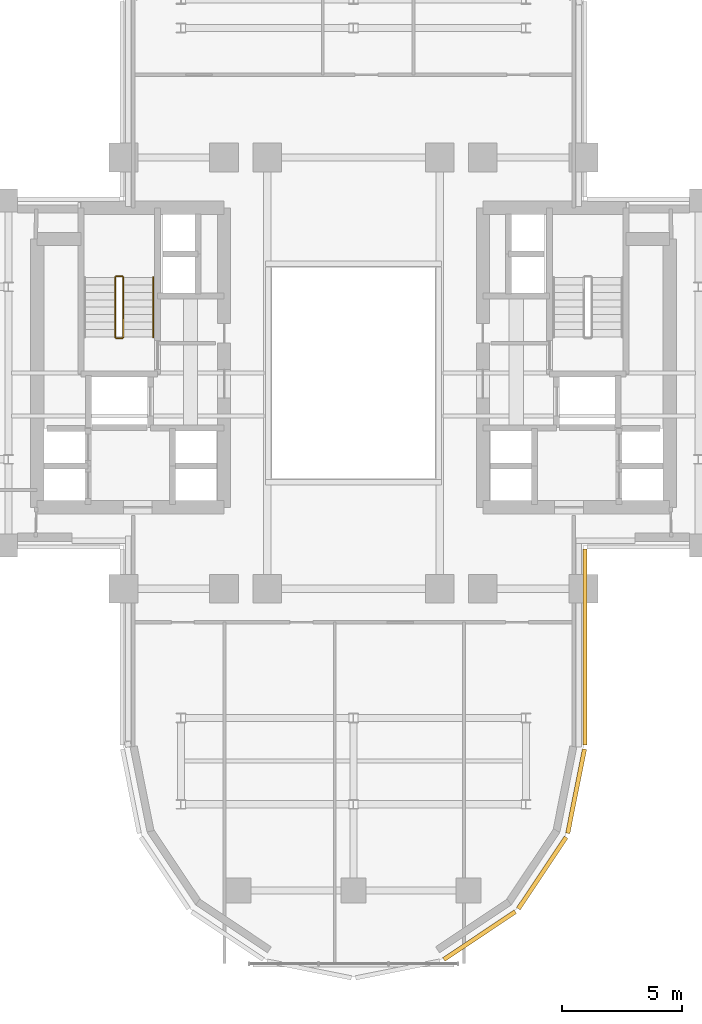
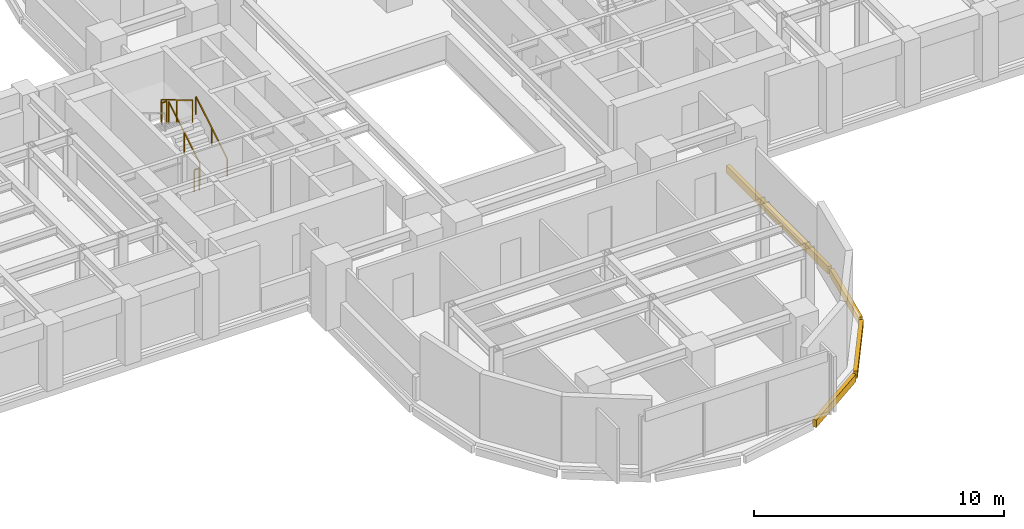
# One storey, part 14 of 16: 5 railings, 4 coverings.
"""IFC4 building model written with IfcOpenShell, lengths in metres."""

from ifc_helpers import new_model, si_unit, direction, frame, origin, origin_2d, place, context, subcontext, project, spatial, rectangle, extrude, source, transform, mapped, material, layer, layer_set, type_object, element, save


model = new_model("IFC4")

# Units and contexts
model_context = context("Model", 3, precision=1e-05, world=origin(), true_north=direction((0.0, 1.0)))
body_context = subcontext(model_context, "Body", "Model", "MODEL_VIEW")
ifc_project = project(units=[si_unit("LENGTHUNIT", "METRE"), si_unit("AREAUNIT", "SQUARE_METRE"), si_unit("VOLUMEUNIT", "CUBIC_METRE"), si_unit("PLANEANGLEUNIT", "RADIAN"), si_unit("MASSUNIT", "GRAM", prefix="KILO")], contexts=[model_context])

# Site, building, storey
site_placement = place(None, origin())
site = spatial("IfcSite", under=ifc_project, at=site_placement, CompositionType="ELEMENT")
building_placement = place(site_placement, origin())
building = spatial("IfcBuilding", under=site, at=building_placement, Name="Keilestroom Media Tower", CompositionType="ELEMENT")
storey_placement = place(building_placement, frame((0.0, 0.0, 74.800048828125)))
storey = spatial("IfcBuildingStorey", under=building, at=storey_placement, Name="L19", CompositionType="ELEMENT", Elevation=74.800048828125)

# Railings
ifc_material_1 = material(Name="Brushed Stainless Steel 1.4301", Category="steel")
railing_type_1 = type_object("IfcRailingType", Name="Stair-Pitch-Handrail-920", PredefinedType="HANDRAIL", material=ifc_material_1)
railing_1_placement = place(storey_placement, frame((-8.35009765625, 1.5, 0.188720703125)))
element("IfcRailing", 1, at=railing_1_placement, inside=storey, type_object=railing_type_1, Name="L19 ST-1 stair handrail 1", PredefinedType="HANDRAIL", context=body_context, shape_type="SweptSolid", body=[
    extrude(rectangle(XDim=0.048095703125, YDim=0.048095703125, at=origin_2d()), frame((0.0, 0.0, 0.8759765625), z_axis=(0.0, 0.855433747314, 0.517912255074), x_axis=(-1.0, 0.0, 0.0)), (0.0, 0.0, 1.0), 2.91796875),
    extrude(rectangle(XDim=0.0419921875, YDim=0.0419921875, at=origin_2d()), origin(), (0.0, 0.0, 1.0), 0.84375),
    extrude(rectangle(XDim=0.0419921875, YDim=0.0419921875, at=origin_2d()), frame((0.0, 1.248046875, 0.755615234375)), (0.0, 0.0, 1.0), 0.84375),
    extrude(rectangle(XDim=0.0419921875, YDim=0.0419921875, at=origin_2d()), frame((0.0, 2.49609375, 1.51123046875)), (0.0, 0.0, 1.0), 0.84375),
])
ifc_material_2 = material(Name="Painted Steel Balustrade", Category="steel")
railing_type_2 = type_object("IfcRailingType", Name="Stair-Well-And-Landing-Guard-1100", PredefinedType="GUARDRAIL", material=ifc_material_2)
railing_2_placement = place(storey_placement, frame((-9.610107421875, 1.5, 0.188720703125)))
element("IfcRailing", 2, at=railing_2_placement, inside=storey, type_object=railing_type_2, Name="L19 ST-1 stair guard 1", PredefinedType="GUARDRAIL", context=body_context, shape_type="SweptSolid", body=[
    extrude(rectangle(XDim=0.048095703125, YDim=0.048095703125, at=origin_2d()), frame((0.0, 0.0, 1.076171875), z_axis=(0.0, 0.855433747314, 0.517912255074), x_axis=(-1.0, 0.0, 0.0)), (0.0, 0.0, 1.0), 2.91796875),
    extrude(rectangle(XDim=0.0419921875, YDim=0.0419921875, at=origin_2d()), origin(), (0.0, 0.0, 1.0), 1.0439453125),
    extrude(rectangle(XDim=0.0419921875, YDim=0.0419921875, at=origin_2d()), frame((0.0, 1.248046875, 0.755615234375)), (0.0, 0.0, 1.0), 1.0439453125),
    extrude(rectangle(XDim=0.0419921875, YDim=0.0419921875, at=origin_2d()), frame((0.0, 2.49609375, 1.51123046875)), (0.0, 0.0, 1.0), 1.0439453125),
])
railing_3_placement = place(storey_placement, frame((-9.659912109375, 4.0458984375, 1.699951171875)))
element("IfcRailing", 3, at=railing_3_placement, inside=storey, type_object=railing_type_2, Name="L19 ST-1 stair guard 2", PredefinedType="GUARDRAIL", context=body_context, shape_type="SweptSolid", body=[
    extrude(rectangle(XDim=0.048095703125, YDim=0.048095703125, at=origin_2d()), frame((0.0, 0.0, 1.076171875), z_axis=(-1.0, 0.0, 0.0), x_axis=(0.0, -1.0, 0.0)), (0.0, 0.0, 1.0), 0.239990234375),
    extrude(rectangle(XDim=0.0419921875, YDim=0.0419921875, at=origin_2d()), origin(), (0.0, 0.0, 1.0), 1.0439453125),
    extrude(rectangle(XDim=0.0419921875, YDim=0.0419921875, at=origin_2d()), frame((-0.239990234375, 0.0, 0.0)), (0.0, 0.0, 1.0), 1.0439453125),
])
railing_4_placement = place(storey_placement, frame((-9.949951171875, 3.99609375, 1.888916015625)))
element("IfcRailing", 4, at=railing_4_placement, inside=storey, type_object=railing_type_2, Name="L19 ST-1 stair guard 3", PredefinedType="GUARDRAIL", context=body_context, shape_type="SweptSolid", body=[
    extrude(rectangle(XDim=0.048095703125, YDim=0.048095703125, at=origin_2d()), frame((0.0, 0.0, 1.076171875), z_axis=(0.0, -0.855470815493, 0.517851024754), x_axis=(1.0, 0.0, 0.0)), (0.0, 0.0, 1.0), 2.917724609375),
    extrude(rectangle(XDim=0.0419921875, YDim=0.0419921875, at=origin_2d()), origin(), (0.0, 0.0, 1.0), 1.0439453125),
    extrude(rectangle(XDim=0.0419921875, YDim=0.0419921875, at=origin_2d()), frame((0.0, -1.248046875, 0.75537109375)), (0.0, 0.0, 1.0), 1.0439453125),
    extrude(rectangle(XDim=0.0419921875, YDim=0.0419921875, at=origin_2d()), frame((0.0, -2.49609375, 1.510986328125)), (0.0, 0.0, 1.0), 1.0439453125),
])
railing_5_placement = place(storey_placement, frame((-9.659912109375, 1.449951171875, 0.0)))
element("IfcRailing", 5, at=railing_5_placement, inside=storey, type_object=railing_type_2, Name="L19 ST-1 stair guard 4", PredefinedType="GUARDRAIL", context=body_context, shape_type="SweptSolid", body=[
    extrude(rectangle(XDim=0.048095703125, YDim=0.048095703125, at=origin_2d()), frame((0.0, 0.0, 1.076171875), z_axis=(-1.0, 0.0, 0.0), x_axis=(0.0, -1.0, 0.0)), (0.0, 0.0, 1.0), 0.239990234375),
    extrude(rectangle(XDim=0.0419921875, YDim=0.0419921875, at=origin_2d()), origin(), (0.0, 0.0, 1.0), 1.0439453125),
    extrude(rectangle(XDim=0.0419921875, YDim=0.0419921875, at=origin_2d()), frame((-0.239990234375, 0.0, 0.0)), (0.0, 0.0, 1.0), 1.0439453125),
])

# Coverings
ifc_material_3 = material(Name="Precast concrete C40/50", Category="concrete")
ifc_layer = layer(ifc_material_3, 0.1201171875)
ifc_layer_set = layer_set([ifc_layer], Name="Precast concrete C40/50")
covering_type = type_object("IfcCoveringType", Name="Exterior-Precast-Spandrel-Cladding-Panel-120", PredefinedType="CLADDING", material=ifc_layer_set)
shared_shape_1 = source(origin(), body_context, "Body", "SweptSolid", [
    extrude(rectangle(XDim=8.166015625, YDim=0.179931640625, at=origin_2d()), origin(), (0.0, 0.0, 1.0), 0.360107421875),
])
covering_1_placement = place(storey_placement, frame((9.659912109375, -11.43310546875, -0.5400390625), z_axis=(0.0, 0.0, 1.0), x_axis=(0.0, -1.0, 0.0)))
element("IfcCovering", 6, at=covering_1_placement, inside=storey, type_object=covering_type, Name="L19 Precast Slab-Edge Fascia Cornice 06", PredefinedType="CLADDING", context=body_context, shape_type="MappedRepresentation", body=[
    mapped(shared_shape_1, transform((0.0, 0.0, 0.0), x_axis=(1.0, 0.0, 0.0), y_axis=(0.0, 1.0, 0.0), z_axis=(0.0, 0.0, 1.0), scale=1.0)),
])
shared_shape_2 = source(origin(), body_context, "Body", "SweptSolid", [
    extrude(rectangle(XDim=3.58349609375, YDim=0.179931640625, at=origin_2d()), origin(), (0.0, 0.0, 1.0), 0.360107421875),
])
covering_2_placement = place(storey_placement, frame((9.29296875, -17.45166015625, -0.5400390625), z_axis=(0.0, 0.0, 1.0), x_axis=(-0.195098880975, -0.980783577882, 0.0)))
element("IfcCovering", 7, at=covering_2_placement, inside=storey, type_object=covering_type, Name="L19 Precast Slab-Edge Fascia Cornice 07", PredefinedType="CLADDING", context=body_context, shape_type="MappedRepresentation", body=[
    mapped(shared_shape_2, transform((0.0, 0.0, 0.0), x_axis=(1.0, 0.0, 0.0), y_axis=(0.0, 1.0, 0.0), z_axis=(0.0, 0.0, 1.0), scale=1.0)),
])
shared_shape_3 = source(origin(), body_context, "Body", "SweptSolid", [
    extrude(rectangle(XDim=3.589599609375, YDim=0.179931640625, at=origin_2d()), origin(), (0.0, 0.0, 1.0), 0.360107421875),
])
for number, where, z_axis, x_axis, name in (
    (8, (7.878662109375, -20.8642578125, -0.5400390625), (0.0, 0.0, 1.0), (-0.555574586577, -0.831466703332, 0.0), "L19 Precast Slab-Edge Fascia Cornice 08"),
    (9, (5.264404296875, -23.478515625, -0.5400390625), (0.0, 0.0, 1.0), (-0.831466703332, -0.555574586577, 0.0), "L19 Precast Slab-Edge Fascia Cornice 09"),
):
    element("IfcCovering", number, at=place(storey_placement, frame(where, z_axis=z_axis, x_axis=x_axis)), inside=storey, type_object=covering_type, Name=name, PredefinedType="CLADDING", context=body_context, shape_type="MappedRepresentation", body=[
        mapped(shared_shape_3, transform((0.0, 0.0, 0.0), x_axis=(1.0, 0.0, 0.0), y_axis=(0.0, 1.0, 0.0), z_axis=(0.0, 0.0, 1.0), scale=1.0)),
    ])

save(model, "model.ifc")
